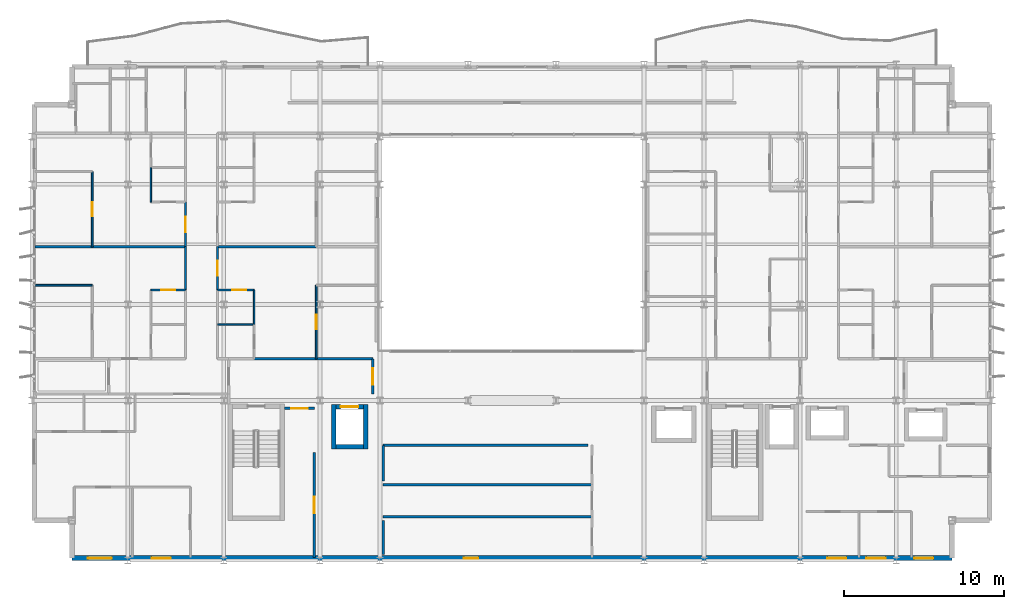
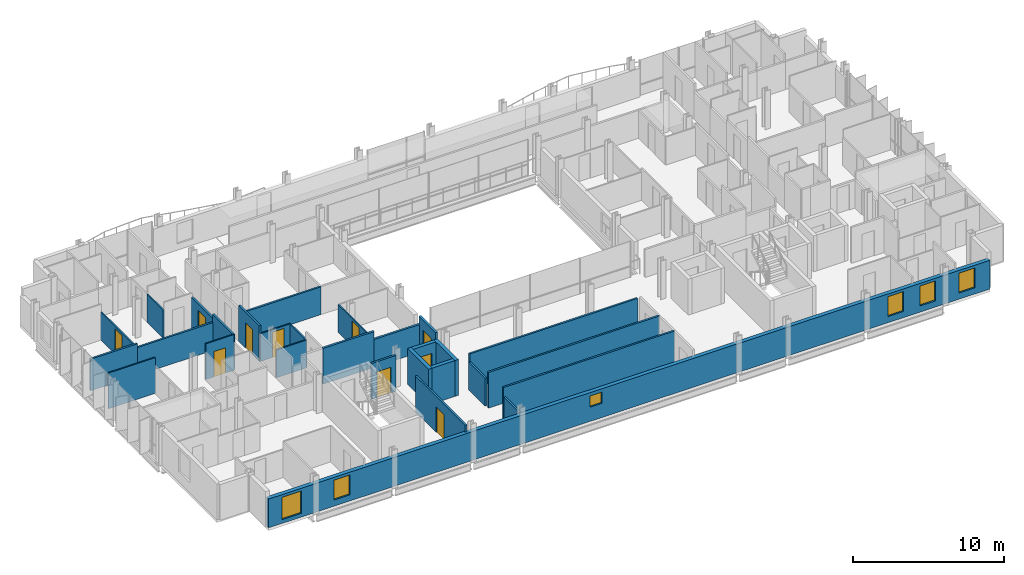
# One storey, part 28 of 39: 29 walls, 10 doors, 6 windows, 16 openings.
"""IFC4 building model written with IfcOpenShell, lengths in metres."""

from ifc_helpers import new_model, si_unit, direction, frame, frame_2d, origin, place, context, subcontext, project, spatial, rectangle, extrude, material, layer, layer_set, type_object, element, fill, save


model = new_model("IFC4")

# Units and contexts
model_context = context("Model", 3, precision=1e-05, world=origin(), true_north=direction((0.0, 1.0)))
body_context = subcontext(model_context, "Body", "Model", "MODEL_VIEW")
ifc_project = project(units=[si_unit("LENGTHUNIT", "METRE"), si_unit("AREAUNIT", "SQUARE_METRE"), si_unit("VOLUMEUNIT", "CUBIC_METRE"), si_unit("PLANEANGLEUNIT", "RADIAN"), si_unit("MASSUNIT", "GRAM", prefix="KILO")], contexts=[model_context])

# Site, building, storey
site_placement = place(None, origin())
site = spatial("IfcSite", under=ifc_project, at=site_placement, CompositionType="ELEMENT")
building_placement = place(site_placement, origin())
building = spatial("IfcBuilding", under=site, at=building_placement, Name="Brevholm Reach", CompositionType="ELEMENT")
storey_placement = place(building_placement, frame((0.0, 0.0, 115.89990234375)))
storey = spatial("IfcBuildingStorey", under=building, at=storey_placement, Name="L34", CompositionType="ELEMENT", Elevation=115.89990234375)

# Walls
ifc_material_1 = material(Name="Concrete C50/60", Category="concrete")
ifc_layer_1 = layer(ifc_material_1, 0.280029296875)
ifc_layer_set_1 = layer_set([ifc_layer_1], Name="Concrete C50/60")
wall_type_1 = type_object("IfcWallType", Name="WAL-COR-280", PredefinedType="SHEAR", material=ifc_layer_set_1)
for number, where, z_axis, x_axis, name in (
    (1, (18.85009765625, 6.9599609375, 0.0), (0.0, 0.0, 1.0), (0.0, 1.0, 0.0), "L34 Lift FFL-1 Shaft Wall W"),
    (2, (20.85009765625, 6.9599609375, 0.0), (0.0, 0.0, 1.0), (0.0, 1.0, 0.0), "L34 Lift FFL-1 Shaft Wall E"),
):
    element("IfcWall", number, at=place(storey_placement, frame(where, z_axis=z_axis, x_axis=x_axis)), inside=storey, type_object=wall_type_1, Name=name, PredefinedType="SHEAR", context=body_context, shape_type="SweptSolid", body=[
        extrude(rectangle(XDim=2.780029296875, YDim=0.280029296875, at=frame_2d((1.39013671875, 0.0))), origin(), (0.0, 0.0, 1.0), 2.880126953125),
    ])
wall_1_placement = place(storey_placement, frame((18.989990234375, 7.10009765625, 0.0), z_axis=(0.0, 0.0, 1.0), x_axis=(1.0, 0.0, 0.0)))
element("IfcWall", 3, at=wall_1_placement, inside=storey, type_object=wall_type_1, Name="L34 Lift FFL-1 Shaft Wall S", PredefinedType="SHEAR", context=body_context, shape_type="SweptSolid", body=[
    extrude(rectangle(XDim=1.719970703125, YDim=0.280029296875, at=frame_2d((0.85986328125, 0.0))), origin(), (0.0, 0.0, 1.0), 2.880126953125),
])

# Wall, opening, door
wall_2_placement = place(storey_placement, frame((18.989990234375, 9.60009765625, 0.0), z_axis=(0.0, 0.0, 1.0), x_axis=(1.0, 0.0, 0.0)))
wall_2 = element("IfcWall", 4, at=wall_2_placement, inside=storey, type_object=wall_type_1, Name="L34 Lift FFL-1 Shaft Wall N", PredefinedType="SHEAR", context=body_context, shape_type="SweptSolid", body=[
    extrude(rectangle(XDim=1.719970703125, YDim=0.280029296875, at=frame_2d((0.85986328125, 0.0))), origin(), (0.0, 0.0, 1.0), 2.880126953125),
])
opening_1_placement = place(wall_2_placement, frame((0.31005859375, 0.0, 0.0)))
opening_1 = element("IfcOpeningElement", 5, at=opening_1_placement, cuts=wall_2, Name="Opening LD-FFL-1", PredefinedType="OPENING", context=body_context, shape_type="SweptSolid", body=[
    extrude(rectangle(XDim=1.10009765625, YDim=2.06005859375, at=frame_2d((0.550048828125, 1.030029296875))), frame((0.0, 0.14990234375, 0.0), z_axis=(0.0, -1.0, 0.0), x_axis=(1.0, 0.0, 0.0)), (0.0, 0.0, 1.0), 0.300048828125),
])
ifc_material_2 = material(Name="Brushed Stainless Steel Fire-Rated Sliding Lift Door", Category="steel")
door_type_1 = type_object("IfcDoorType", Name="DOR-LFT-1100", OperationType="NOTDEFINED", PredefinedType="DOOR", material=ifc_material_2)
door_1_placement = place(opening_1_placement, origin())
door_1 = element("IfcDoor", 6, at=door_1_placement, inside=storey, type_object=door_type_1, Name="L34 Lift FFL-1 Sliding Landing Door", OperationType="SLIDING_TO_RIGHT", OverallHeight=2.06005859375, OverallWidth=1.10009765625, PredefinedType="DOOR", context=body_context, shape_type="SweptSolid", body=[
    extrude(rectangle(XDim=1.10009765625, YDim=2.06005859375, at=frame_2d((0.550048828125, 1.030029296875))), frame((0.0, 0.02490234375, 0.0), z_axis=(0.0, -1.0, 0.0), x_axis=(1.0, 0.0, 0.0)), (0.0, 0.0, 1.0), 0.050048828125),
])
fill(opening_1, door_1)

# Wall, openings, windows
ifc_material_3 = material(Name="Concrete C40/50", Category="concrete")
ifc_layer_2 = layer(ifc_material_3, 0.300048828125)
ifc_layer_set_2 = layer_set([ifc_layer_2], Name="Concrete C40/50")
wall_type_2 = type_object("IfcWallType", Name="WAL-EXT-300", PredefinedType="STANDARD", material=ifc_layer_set_2)
wall_3_placement = place(storey_placement, frame((2.5, 0.14990234375, 0.0), z_axis=(0.0, 0.0, 1.0), x_axis=(1.0, 0.0, 0.0)))
wall_3 = element("IfcWall", 7, at=wall_3_placement, inside=storey, type_object=wall_type_2, Name="L34 Facade Wall WAL-L34-S", PredefinedType="STANDARD", context=body_context, shape_type="SweptSolid", body=[
    extrude(rectangle(XDim=55.0, YDim=0.300048828125, at=frame_2d((27.5, 0.0))), origin(), (0.0, 0.0, 1.0), 2.322021484375),
])
opening_2_placement = place(wall_3_placement, frame((1.0, 0.0, 0.302001953125)))
opening_2 = element("IfcOpeningElement", 8, at=opening_2_placement, cuts=wall_3, Name="Opening WN-05", PredefinedType="OPENING", context=body_context, shape_type="SweptSolid", body=[
    extrude(rectangle(XDim=1.5, YDim=1.800048828125, at=frame_2d((0.75, 0.89990234375))), frame((0.0, 0.159912109375, 0.0), z_axis=(0.0, -1.0, 0.0), x_axis=(1.0, 0.0, 0.0)), (0.0, 0.0, 1.0), 0.320068359375),
])
opening_3_placement = place(wall_3_placement, frame((24.5, 0.0, 1.14990234375)))
opening_3 = element("IfcOpeningElement", 9, at=opening_3_placement, cuts=wall_3, Name="Opening WN-09", PredefinedType="OPENING", context=body_context, shape_type="SweptSolid", body=[
    extrude(rectangle(XDim=0.89990234375, YDim=0.89990234375, at=frame_2d((0.449951171875, 0.449951171875))), frame((0.0, 0.159912109375, 0.0), z_axis=(0.0, -1.0, 0.0), x_axis=(1.0, 0.0, 0.0)), (0.0, 0.0, 1.0), 0.320068359375),
])
opening_4_placement = place(wall_3_placement, frame((47.199951171875, 0.0, 0.501953125)))
opening_4 = element("IfcOpeningElement", 10, at=opening_4_placement, cuts=wall_3, Name="Opening WN-08", PredefinedType="OPENING", context=body_context, shape_type="SweptSolid", body=[
    extrude(rectangle(XDim=1.199951171875, YDim=1.60009765625, at=frame_2d((0.60009765625, 0.800048828125))), frame((0.0, 0.159912109375, 0.0), z_axis=(0.0, -1.0, 0.0), x_axis=(1.0, 0.0, 0.0)), (0.0, 0.0, 1.0), 0.320068359375),
])
opening_5_placement = place(wall_3_placement, frame((52.6298828125, 0.0, 0.501953125)))
opening_5 = element("IfcOpeningElement", 11, at=opening_5_placement, cuts=wall_3, Name="Opening WN-08", PredefinedType="OPENING", context=body_context, shape_type="SweptSolid", body=[
    extrude(rectangle(XDim=1.199951171875, YDim=1.60009765625, at=frame_2d((0.60009765625, 0.800048828125))), frame((0.0, 0.159912109375, 0.0), z_axis=(0.0, -1.0, 0.0), x_axis=(1.0, 0.0, 0.0)), (0.0, 0.0, 1.0), 0.320068359375),
])
opening_6_placement = place(wall_3_placement, frame((4.987548828125, 0.0, 0.501953125)))
opening_6 = element("IfcOpeningElement", 12, at=opening_6_placement, cuts=wall_3, Name="Opening WN-08", PredefinedType="OPENING", context=body_context, shape_type="SweptSolid", body=[
    extrude(rectangle(XDim=1.199951171875, YDim=1.60009765625, at=frame_2d((0.60009765625, 0.800048828125))), frame((0.0, 0.159912109375, 0.0), z_axis=(0.0, -1.0, 0.0), x_axis=(1.0, 0.0, 0.0)), (0.0, 0.0, 1.0), 0.320068359375),
])
opening_7_placement = place(wall_3_placement, frame((49.643310546875, 0.0, 0.501953125)))
opening_7 = element("IfcOpeningElement", 13, at=opening_7_placement, cuts=wall_3, Name="Opening WN-08", PredefinedType="OPENING", context=body_context, shape_type="SweptSolid", body=[
    extrude(rectangle(XDim=1.199951171875, YDim=1.60009765625, at=frame_2d((0.60009765625, 0.800048828125))), frame((0.0, 0.159912109375, 0.0), z_axis=(0.0, -1.0, 0.0), x_axis=(1.0, 0.0, 0.0)), (0.0, 0.0, 1.0), 0.320068359375),
])
ifc_material_4 = material(Name="Dark Anodised Aluminium and Solar-Control IGU Glass", Category="aluminium")
window_type_1 = type_object("IfcWindowType", Name="WIN-POR-0900", PartitioningType="SINGLE_PANEL", PredefinedType="WINDOW", material=ifc_material_4)
window_1_placement = place(opening_3_placement, origin())
window_1 = element("IfcWindow", 14, at=window_1_placement, inside=storey, type_object=window_type_1, Name="L34 Window WIN-L34-S-POR", OverallHeight=0.89990234375, OverallWidth=0.89990234375, PartitioningType="SINGLE_PANEL", PredefinedType="WINDOW", context=body_context, shape_type="SweptSolid", body=[
    extrude(rectangle(XDim=0.89990234375, YDim=0.89990234375, at=frame_2d((0.449951171875, 0.449951171875))), frame((0.0, 0.030029296875, 0.0), z_axis=(0.0, -1.0, 0.0), x_axis=(1.0, 0.0, 0.0)), (0.0, 0.0, 1.0), 0.06005859375),
])
fill(opening_3, window_1)
ifc_material_5 = material(Name="Dark Anodised Aluminium and Solar-Control IGU Glass", Category="aluminium")
window_type_2 = type_object("IfcWindowType", Name="WIN-RES-1200", PartitioningType="SINGLE_PANEL", PredefinedType="WINDOW", material=ifc_material_5)
window_2_placement = place(opening_4_placement, origin())
window_2 = element("IfcWindow", 15, at=window_2_placement, inside=storey, type_object=window_type_2, Name="L34 Window WIN-L34-S-E1", OverallHeight=1.60009765625, OverallWidth=1.199951171875, PartitioningType="SINGLE_PANEL", PredefinedType="WINDOW", context=body_context, shape_type="SweptSolid", body=[
    extrude(rectangle(XDim=1.199951171875, YDim=1.60009765625, at=frame_2d((0.60009765625, 0.800048828125))), frame((0.0, 0.030029296875, 0.0), z_axis=(0.0, -1.0, 0.0), x_axis=(1.0, 0.0, 0.0)), (0.0, 0.0, 1.0), 0.06005859375),
])
fill(opening_4, window_2)
window_3_placement = place(opening_5_placement, origin())
window_3 = element("IfcWindow", 16, at=window_3_placement, inside=storey, type_object=window_type_2, Name="L34 Window WIN-L34-S-E2", OverallHeight=1.60009765625, OverallWidth=1.199951171875, PartitioningType="SINGLE_PANEL", PredefinedType="WINDOW", context=body_context, shape_type="SweptSolid", body=[
    extrude(rectangle(XDim=1.199951171875, YDim=1.60009765625, at=frame_2d((0.60009765625, 0.800048828125))), frame((0.0, 0.030029296875, 0.0), z_axis=(0.0, -1.0, 0.0), x_axis=(1.0, 0.0, 0.0)), (0.0, 0.0, 1.0), 0.06005859375),
])
fill(opening_5, window_3)
window_4_placement = place(opening_6_placement, origin())
window_4 = element("IfcWindow", 17, at=window_4_placement, inside=storey, type_object=window_type_2, Name="L34 Bedroom Window 038", OverallHeight=1.60009765625, OverallWidth=1.199951171875, PartitioningType="SINGLE_PANEL", PredefinedType="WINDOW", context=body_context, shape_type="SweptSolid", body=[
    extrude(rectangle(XDim=1.199951171875, YDim=1.60009765625, at=frame_2d((0.60009765625, 0.800048828125))), frame((0.0, 0.030029296875, 0.0), z_axis=(0.0, -1.0, 0.0), x_axis=(1.0, 0.0, 0.0)), (0.0, 0.0, 1.0), 0.06005859375),
])
fill(opening_6, window_4)
window_5_placement = place(opening_7_placement, origin())
window_5 = element("IfcWindow", 18, at=window_5_placement, inside=storey, type_object=window_type_2, Name="L34 Bedroom Window 039", OverallHeight=1.60009765625, OverallWidth=1.199951171875, PartitioningType="SINGLE_PANEL", PredefinedType="WINDOW", context=body_context, shape_type="SweptSolid", body=[
    extrude(rectangle(XDim=1.199951171875, YDim=1.60009765625, at=frame_2d((0.60009765625, 0.800048828125))), frame((0.0, 0.030029296875, 0.0), z_axis=(0.0, -1.0, 0.0), x_axis=(1.0, 0.0, 0.0)), (0.0, 0.0, 1.0), 0.06005859375),
])
fill(opening_7, window_5)
ifc_material_6 = material(Name="Dark Anodised Aluminium and Solar-Control IGU Glass", Category="aluminium")
window_type_3 = type_object("IfcWindowType", Name="WIN-RES-1500", PartitioningType="SINGLE_PANEL", PredefinedType="WINDOW", material=ifc_material_6)
window_6_placement = place(opening_2_placement, origin())
window_6 = element("IfcWindow", 19, at=window_6_placement, inside=storey, type_object=window_type_3, Name="L34 Window WIN-L34-S-W1", OverallHeight=1.800048828125, OverallWidth=1.5, PartitioningType="SINGLE_PANEL", PredefinedType="WINDOW", context=body_context, shape_type="SweptSolid", body=[
    extrude(rectangle(XDim=1.5, YDim=1.800048828125, at=frame_2d((0.75, 0.89990234375))), frame((0.0, 0.030029296875, 0.0), z_axis=(0.0, -1.0, 0.0), x_axis=(1.0, 0.0, 0.0)), (0.0, 0.0, 1.0), 0.06005859375),
])
fill(opening_2, window_6)

# Wall, opening, door
ifc_material_7 = material(Name="Moisture-Resistant Acoustic Gypsum Stud Partition 100 mm", Category="gypsum")
ifc_layer_3 = layer(ifc_material_7, 0.10009765625)
ifc_layer_set_3 = layer_set([ifc_layer_3], Name="Moisture-Resistant Acoustic Gypsum Stud Partition 100 mm")
wall_type_3 = type_object("IfcWallType", Name="WAL-PRT-100", PredefinedType="PARTITIONING", material=ifc_layer_set_3)
wall_4_placement = place(storey_placement, frame((7.43798828125, 16.89990234375, 0.0), z_axis=(0.0, 0.0, 1.0), x_axis=(1.0, 0.0, 0.0)))
wall_4 = element("IfcWall", 20, at=wall_4_placement, inside=storey, type_object=wall_type_3, Name="L34 Internal Partition 089", PredefinedType="PARTITIONING", context=body_context, shape_type="SweptSolid", body=[
    extrude(rectangle(XDim=2.157958984375, YDim=0.10009765625, at=frame_2d((1.0791015625, 0.0))), origin(), (0.0, 0.0, 1.0), 2.880126953125),
])
opening_8_placement = place(wall_4_placement, frame((0.638916015625, 0.0, 0.0)))
opening_8 = element("IfcOpeningElement", 21, at=opening_8_placement, cuts=wall_4, Name="Opening ID-01", PredefinedType="OPENING", context=body_context, shape_type="SweptSolid", body=[
    extrude(rectangle(XDim=0.8798828125, YDim=2.0400390625, at=frame_2d((0.43994140625, 1.02001953125))), frame((0.0, 0.06005859375, 0.0), z_axis=(0.0, -1.0, 0.0), x_axis=(1.0, 0.0, 0.0)), (0.0, 0.0, 1.0), 0.1201171875),
])
ifc_material_8 = material(Name="Lacquered Ash Solid-Core Acoustic Internal Door", Category="timber")
door_type_2 = type_object("IfcDoorType", Name="DOR-INT-880", OperationType="NOTDEFINED", PredefinedType="DOOR", material=ifc_material_8)
door_2_placement = place(opening_8_placement, origin())
door_2 = element("IfcDoor", 22, at=door_2_placement, inside=storey, type_object=door_type_2, Name="L34 Internal Door 033", OperationType="SINGLE_SWING_LEFT", OverallHeight=2.0400390625, OverallWidth=0.8798828125, PredefinedType="DOOR", context=body_context, shape_type="SweptSolid", body=[
    extrude(rectangle(XDim=0.8798828125, YDim=2.0400390625, at=frame_2d((0.43994140625, 1.02001953125))), frame((0.0, 0.02490234375, 0.0), z_axis=(0.0, -1.0, 0.0), x_axis=(1.0, 0.0, 0.0)), (0.0, 0.0, 1.0), 0.050048828125),
])
fill(opening_8, door_2)

# Walls
wall_5_placement = place(storey_placement, frame((0.199951171875, 17.199951171875, 0.0), z_axis=(0.0, 0.0, 1.0), x_axis=(1.0, 0.0, 0.0)))
element("IfcWall", 23, at=wall_5_placement, inside=storey, type_object=wall_type_3, Name="L34 Internal Partition 092", PredefinedType="PARTITIONING", context=body_context, shape_type="SweptSolid", body=[
    extrude(rectangle(XDim=3.572021484375, YDim=0.10009765625, at=frame_2d((1.7861328125, 0.0))), origin(), (0.0, 0.0, 1.0), 2.880126953125),
])
wall_6_placement = place(storey_placement, frame((7.43798828125, 22.39990234375, 0.0), z_axis=(0.0, 0.0, 1.0), x_axis=(0.0, 1.0, 0.0)))
element("IfcWall", 24, at=wall_6_placement, inside=storey, type_object=wall_type_3, Name="L34 Internal Partition 099", PredefinedType="PARTITIONING", context=body_context, shape_type="SweptSolid", body=[
    extrude(rectangle(XDim=2.14599609375, YDim=0.10009765625, at=frame_2d((1.072998046875, 0.0))), origin(), (0.0, 0.0, 1.0), 2.242919921875),
])

# Wall, opening, door
wall_7_placement = place(storey_placement, frame((3.77197265625, 19.60400390625, 0.0), z_axis=(0.0, 0.0, 1.0), x_axis=(0.0, 1.0, 0.0)))
wall_7 = element("IfcWall", 25, at=wall_7_placement, inside=storey, type_object=wall_type_3, Name="L34 Internal Partition 100", PredefinedType="PARTITIONING", context=body_context, shape_type="SweptSolid", body=[
    extrude(rectangle(XDim=4.696044921875, YDim=0.10009765625, at=frame_2d((2.34814453125, 0.0))), origin(), (0.0, 0.0, 1.0), 2.242919921875),
])
opening_9_placement = place(wall_7_placement, frame((1.907958984375, 0.0, 0.0)))
opening_9 = element("IfcOpeningElement", 26, at=opening_9_placement, cuts=wall_7, Name="Opening ID-01", PredefinedType="OPENING", context=body_context, shape_type="SweptSolid", body=[
    extrude(rectangle(XDim=0.8798828125, YDim=2.0400390625, at=frame_2d((0.43994140625, 1.02001953125))), frame((0.0, 0.06005859375, 0.0), z_axis=(0.0, -1.0, 0.0), x_axis=(1.0, 0.0, 0.0)), (0.0, 0.0, 1.0), 0.1201171875),
])
door_3_placement = place(opening_9_placement, origin())
door_3 = element("IfcDoor", 27, at=door_3_placement, inside=storey, type_object=door_type_2, Name="L34 Internal Door 037", OperationType="SINGLE_SWING_LEFT", OverallHeight=2.0400390625, OverallWidth=0.8798828125, PredefinedType="DOOR", context=body_context, shape_type="SweptSolid", body=[
    extrude(rectangle(XDim=0.8798828125, YDim=2.0400390625, at=frame_2d((0.43994140625, 1.02001953125))), frame((0.0, 0.02490234375, 0.0), z_axis=(0.0, -1.0, 0.0), x_axis=(1.0, 0.0, 0.0)), (0.0, 0.0, 1.0), 0.050048828125),
])
fill(opening_9, door_3)

# Walls
wall_8_placement = place(storey_placement, frame((11.60400390625, 14.75, 0.0), z_axis=(0.0, 0.0, 1.0), x_axis=(1.0, 0.0, 0.0)))
element("IfcWall", 28, at=wall_8_placement, inside=storey, type_object=wall_type_3, Name="L34 Internal Partition 106", PredefinedType="PARTITIONING", context=body_context, shape_type="SweptSolid", body=[
    extrude(rectangle(XDim=2.284912109375, YDim=0.10009765625, at=frame_2d((1.142578125, 0.0))), origin(), (0.0, 0.0, 1.0), 2.242919921875),
])
wall_9_placement = place(storey_placement, frame((13.888916015625, 14.75390625, 0.0), z_axis=(0.0, 0.0, 1.0), x_axis=(0.0, 1.0, 0.0)))
element("IfcWall", 29, at=wall_9_placement, inside=storey, type_object=wall_type_3, Name="L34 Internal Partition 108", PredefinedType="PARTITIONING", context=body_context, shape_type="SweptSolid", body=[
    extrude(rectangle(XDim=2.14599609375, YDim=0.10009765625, at=frame_2d((1.072998046875, 0.0))), origin(), (0.0, 0.0, 1.0), 2.242919921875),
])

# Wall, opening, door
wall_10_placement = place(storey_placement, frame((11.60400390625, 16.89990234375, 0.0), z_axis=(0.0, 0.0, 1.0), x_axis=(1.0, 0.0, 0.0)))
wall_10 = element("IfcWall", 30, at=wall_10_placement, inside=storey, type_object=wall_type_3, Name="L34 Internal Partition 109", PredefinedType="PARTITIONING", context=body_context, shape_type="SweptSolid", body=[
    extrude(rectangle(XDim=2.284912109375, YDim=0.10009765625, at=frame_2d((1.142578125, 0.0))), origin(), (0.0, 0.0, 1.0), 2.242919921875),
])
opening_10_placement = place(wall_10_placement, frame((0.922607421875, 0.0, 0.0)))
opening_10 = element("IfcOpeningElement", 31, at=opening_10_placement, cuts=wall_10, Name="Opening ID-01", PredefinedType="OPENING", context=body_context, shape_type="SweptSolid", body=[
    extrude(rectangle(XDim=0.8798828125, YDim=2.0400390625, at=frame_2d((0.43994140625, 1.02001953125))), frame((0.0, 0.06005859375, 0.0), z_axis=(0.0, -1.0, 0.0), x_axis=(1.0, 0.0, 0.0)), (0.0, 0.0, 1.0), 0.1201171875),
])
door_4_placement = place(opening_10_placement, origin())
door_4 = element("IfcDoor", 32, at=door_4_placement, inside=storey, type_object=door_type_2, Name="L34 Internal Door 039", OperationType="SINGLE_SWING_LEFT", OverallHeight=2.0400390625, OverallWidth=0.8798828125, PredefinedType="DOOR", context=body_context, shape_type="SweptSolid", body=[
    extrude(rectangle(XDim=0.8798828125, YDim=2.0400390625, at=frame_2d((0.43994140625, 1.02001953125))), frame((0.0, 0.02490234375, 0.0), z_axis=(0.0, -1.0, 0.0), x_axis=(1.0, 0.0, 0.0)), (0.0, 0.0, 1.0), 0.050048828125),
])
fill(opening_10, door_4)

wall_11_placement = place(storey_placement, frame((17.76904296875, 12.60400390625, 0.0), z_axis=(0.0, 0.0, 1.0), x_axis=(0.0, 1.0, 0.0)))
wall_11 = element("IfcWall", 33, at=wall_11_placement, inside=storey, type_object=wall_type_3, Name="L34 Internal Partition 111", PredefinedType="PARTITIONING", context=body_context, shape_type="SweptSolid", body=[
    extrude(rectangle(XDim=4.595947265625, YDim=0.10009765625, at=frame_2d((2.2978515625, 0.0))), origin(), (0.0, 0.0, 1.0), 2.242919921875),
])
opening_11_placement = place(wall_11_placement, frame((1.85791015625, 0.0, 0.0)))
opening_11 = element("IfcOpeningElement", 34, at=opening_11_placement, cuts=wall_11, Name="Opening ID-01", PredefinedType="OPENING", context=body_context, shape_type="SweptSolid", body=[
    extrude(rectangle(XDim=0.8798828125, YDim=2.0400390625, at=frame_2d((0.43994140625, 1.02001953125))), frame((0.0, 0.06005859375, 0.0), z_axis=(0.0, -1.0, 0.0), x_axis=(1.0, 0.0, 0.0)), (0.0, 0.0, 1.0), 0.1201171875),
])
door_5_placement = place(opening_11_placement, origin())
door_5 = element("IfcDoor", 35, at=door_5_placement, inside=storey, type_object=door_type_2, Name="L34 Internal Door 040", OperationType="SINGLE_SWING_RIGHT", OverallHeight=2.0400390625, OverallWidth=0.8798828125, PredefinedType="DOOR", context=body_context, shape_type="SweptSolid", body=[
    extrude(rectangle(XDim=0.8798828125, YDim=2.0400390625, at=frame_2d((0.43994140625, 1.02001953125))), frame((0.0, 0.02490234375, 0.0), z_axis=(0.0, -1.0, 0.0), x_axis=(1.0, 0.0, 0.0)), (0.0, 0.0, 1.0), 0.050048828125),
])
fill(opening_11, door_5)

# Walls
ifc_material_9 = material(Name="Twin-Stud Acoustic Fire-Rated Gypsum Partition 140 mm", Category="gypsum")
ifc_layer_4 = layer(ifc_material_9, 0.139892578125)
ifc_layer_set_4 = layer_set([ifc_layer_4], Name="Twin-Stud Acoustic Fire-Rated Gypsum Partition 140 mm")
wall_type_4 = type_object("IfcWallType", Name="WAL-PRT-140", PredefinedType="PARTITIONING", material=ifc_layer_set_4)
for number, where, z_axis, x_axis, name in (
    (36, (21.949951171875, 2.737060546875, 0.0), (0.0, 0.0, 1.0), (1.0, 0.0, 0.0), "L34 Internal Partition 004"),
    (37, (21.949951171875, 4.740966796875, 0.0), (0.0, 0.0, 1.0), (1.0, 0.0, 0.0), "L34 Internal Partition 005"),
):
    element("IfcWall", number, at=place(storey_placement, frame(where, z_axis=z_axis, x_axis=x_axis)), inside=storey, type_object=wall_type_4, Name=name, PredefinedType="PARTITIONING", context=body_context, shape_type="SweptSolid", body=[
        extrude(rectangle(XDim=13.046142578125, YDim=0.139892578125, at=frame_2d((6.52294921875, 0.0))), origin(), (0.0, 0.0, 1.0), 2.880126953125),
    ])

# Wall, opening, door
wall_12_placement = place(storey_placement, frame((17.64990234375, 0.179931640625, 0.0), z_axis=(0.0, 0.0, 1.0), x_axis=(0.0, 1.0, 0.0)))
wall_12 = element("IfcWall", 38, at=wall_12_placement, inside=storey, type_object=wall_type_4, Name="L34 Internal Partition 006", PredefinedType="PARTITIONING", context=body_context, shape_type="SweptSolid", body=[
    extrude(rectangle(XDim=6.581298828125, YDim=0.139892578125, at=frame_2d((3.29052734375, 0.0))), origin(), (0.0, 0.0, 1.0), 2.880126953125),
])
opening_12_placement = place(wall_12_placement, frame((2.765625, 0.0, 0.0)))
opening_12 = element("IfcOpeningElement", 39, at=opening_12_placement, cuts=wall_12, Name="Opening FD-01", PredefinedType="OPENING", context=body_context, shape_type="SweptSolid", body=[
    extrude(rectangle(XDim=1.050048828125, YDim=2.06005859375, at=frame_2d((0.52490234375, 1.030029296875))), frame((0.0, 0.079833984375, 0.0), z_axis=(0.0, -1.0, 0.0), x_axis=(1.0, 0.0, 0.0)), (0.0, 0.0, 1.0), 0.159912109375),
])
ifc_material_10 = material(Name="Hardwood-Lipped Steel-Core Fire and Smoke Door", Category="steel")
door_type_3 = type_object("IfcDoorType", Name="DOR-INT-FD60S", OperationType="NOTDEFINED", PredefinedType="DOOR", material=ifc_material_10)
door_6_placement = place(opening_12_placement, origin())
door_6 = element("IfcDoor", 40, at=door_6_placement, inside=storey, type_object=door_type_3, Name="L34 Internal Door 004", OperationType="SINGLE_SWING_RIGHT", OverallHeight=2.06005859375, OverallWidth=1.050048828125, PredefinedType="DOOR", context=body_context, shape_type="SweptSolid", body=[
    extrude(rectangle(XDim=1.050048828125, YDim=2.06005859375, at=frame_2d((0.52490234375, 1.030029296875))), frame((0.0, 0.02490234375, 0.0), z_axis=(0.0, -1.0, 0.0), x_axis=(1.0, 0.0, 0.0)), (0.0, 0.0, 1.0), 0.050048828125),
])
fill(opening_12, door_6)

# Wall
wall_13_placement = place(storey_placement, frame((9.60009765625, 16.892578125, 0.0), z_axis=(0.0, 0.0, 1.0), x_axis=(0.0, 1.0, 0.0)))
element("IfcWall", 41, at=wall_13_placement, inside=storey, type_object=wall_type_4, Name="L34 Internal Partition 035", PredefinedType="PARTITIONING", context=body_context, shape_type="SweptSolid", body=[
    extrude(rectangle(XDim=2.71875, YDim=0.139892578125, at=frame_2d((1.359375, 0.0))), origin(), (0.0, 0.0, 1.0), 2.880126953125),
])

# Wall, opening, door
wall_14_placement = place(storey_placement, frame((9.60009765625, 19.5927734375, 0.0), z_axis=(0.0, 0.0, 1.0), x_axis=(0.0, 1.0, 0.0)))
wall_14 = element("IfcWall", 42, at=wall_14_placement, inside=storey, type_object=wall_type_4, Name="L34 Internal Partition 038", PredefinedType="PARTITIONING", context=body_context, shape_type="SweptSolid", body=[
    extrude(rectangle(XDim=2.814453125, YDim=0.139892578125, at=frame_2d((1.4072265625, 0.0))), origin(), (0.0, 0.0, 1.0), 2.5517578125),
])
opening_13_placement = place(wall_14_placement, frame((0.932373046875, 0.0, 0.0)))
opening_13 = element("IfcOpeningElement", 43, at=opening_13_placement, cuts=wall_14, Name="Opening ID-30", PredefinedType="OPENING", context=body_context, shape_type="SweptSolid", body=[
    extrude(rectangle(XDim=0.949951171875, YDim=2.050048828125, at=frame_2d((0.47509765625, 1.02490234375))), frame((0.0, 0.079833984375, 0.0), z_axis=(0.0, -1.0, 0.0), x_axis=(1.0, 0.0, 0.0)), (0.0, 0.0, 1.0), 0.159912109375),
])
ifc_material_11 = material(Name="European Oak Veneered Solid-Core Fire Entrance Door", Category="timber")
door_type_4 = type_object("IfcDoorType", Name="DOR-FLT-FD30S", OperationType="NOTDEFINED", PredefinedType="DOOR", material=ifc_material_11)
door_7_placement = place(opening_13_placement, origin())
door_7 = element("IfcDoor", 44, at=door_7_placement, inside=storey, type_object=door_type_4, Name="L34 Internal Door 016", OperationType="SINGLE_SWING_RIGHT", OverallHeight=2.050048828125, OverallWidth=0.949951171875, PredefinedType="DOOR", context=body_context, shape_type="SweptSolid", body=[
    extrude(rectangle(XDim=0.949951171875, YDim=2.050048828125, at=frame_2d((0.47509765625, 1.02490234375))), frame((0.0, 0.02490234375, 0.0), z_axis=(0.0, -1.0, 0.0), x_axis=(1.0, 0.0, 0.0)), (0.0, 0.0, 1.0), 0.050048828125),
])
fill(opening_13, door_7)

wall_15_placement = place(storey_placement, frame((11.60009765625, 16.892578125, 0.0), z_axis=(0.0, 0.0, 1.0), x_axis=(0.0, 1.0, 0.0)))
wall_15 = element("IfcWall", 45, at=wall_15_placement, inside=storey, type_object=wall_type_4, Name="L34 Internal Partition 041", PredefinedType="PARTITIONING", context=body_context, shape_type="SweptSolid", body=[
    extrude(rectangle(XDim=2.71875, YDim=0.139892578125, at=frame_2d((1.359375, 0.0))), origin(), (0.0, 0.0, 1.0), 2.880126953125),
])
opening_14_placement = place(wall_15_placement, frame((0.88427734375, 0.0, 0.0)))
opening_14 = element("IfcOpeningElement", 46, at=opening_14_placement, cuts=wall_15, Name="Opening ID-30", PredefinedType="OPENING", context=body_context, shape_type="SweptSolid", body=[
    extrude(rectangle(XDim=0.949951171875, YDim=2.050048828125, at=frame_2d((0.47509765625, 1.02490234375))), frame((0.0, 0.079833984375, 0.0), z_axis=(0.0, -1.0, 0.0), x_axis=(1.0, 0.0, 0.0)), (0.0, 0.0, 1.0), 0.159912109375),
])
door_8_placement = place(opening_14_placement, origin())
door_8 = element("IfcDoor", 47, at=door_8_placement, inside=storey, type_object=door_type_4, Name="L34 Internal Door 017", OperationType="SINGLE_SWING_LEFT", OverallHeight=2.050048828125, OverallWidth=0.949951171875, PredefinedType="DOOR", context=body_context, shape_type="SweptSolid", body=[
    extrude(rectangle(XDim=0.949951171875, YDim=2.050048828125, at=frame_2d((0.47509765625, 1.02490234375))), frame((0.0, 0.02490234375, 0.0), z_axis=(0.0, -1.0, 0.0), x_axis=(1.0, 0.0, 0.0)), (0.0, 0.0, 1.0), 0.050048828125),
])
fill(opening_14, door_8)

# Walls
wall_16_placement = place(storey_placement, frame((0.199951171875, 19.60009765625, 0.0), z_axis=(0.0, 0.0, 1.0), x_axis=(1.0, 0.0, 0.0)))
element("IfcWall", 48, at=wall_16_placement, inside=storey, type_object=wall_type_4, Name="L34 Internal Partition 093", PredefinedType="PARTITIONING", context=body_context, shape_type="SweptSolid", body=[
    extrude(rectangle(XDim=3.583251953125, YDim=0.139892578125, at=frame_2d((1.79150390625, 0.0))), origin(), (0.0, 0.0, 1.0), 2.5517578125),
])
wall_17_placement = place(storey_placement, frame((3.7646484375, 19.60009765625, 0.0), z_axis=(0.0, 0.0, 1.0), x_axis=(1.0, 0.0, 0.0)))
element("IfcWall", 49, at=wall_17_placement, inside=storey, type_object=wall_type_4, Name="L34 Internal Partition 094", PredefinedType="PARTITIONING", context=body_context, shape_type="SweptSolid", body=[
    extrude(rectangle(XDim=5.831298828125, YDim=0.139892578125, at=frame_2d((2.91552734375, 0.0))), origin(), (0.0, 0.0, 1.0), 2.242919921875),
])
wall_18_placement = place(storey_placement, frame((11.60400390625, 19.60009765625, 0.0), z_axis=(0.0, 0.0, 1.0), x_axis=(1.0, 0.0, 0.0)))
element("IfcWall", 50, at=wall_18_placement, inside=storey, type_object=wall_type_4, Name="L34 Internal Partition 113", PredefinedType="PARTITIONING", context=body_context, shape_type="SweptSolid", body=[
    extrude(rectangle(XDim=6.17236328125, YDim=0.139892578125, at=frame_2d((3.086181640625, 0.0))), origin(), (0.0, 0.0, 1.0), 2.242919921875),
])
wall_19_placement = place(storey_placement, frame((21.949951171875, 0.389892578125, 0.0), z_axis=(0.0, 0.0, 1.0), x_axis=(0.0, 1.0, 0.0)))
element("IfcWall", 51, at=wall_19_placement, inside=storey, type_object=wall_type_4, Name="L34 Internal Partition 163", PredefinedType="PARTITIONING", context=body_context, shape_type="SweptSolid", body=[
    extrude(rectangle(XDim=2.107177734375, YDim=0.139892578125, at=frame_2d((1.0537109375, 0.0))), origin(), (0.0, 0.0, 1.0), 2.242919921875),
])
wall_20_placement = place(storey_placement, frame((21.949951171875, 7.199951171875, 0.0), z_axis=(0.0, 0.0, 1.0), x_axis=(1.0, 0.0, 0.0)))
element("IfcWall", 52, at=wall_20_placement, inside=storey, type_object=wall_type_4, Name="L34 Internal Partition 164", PredefinedType="PARTITIONING", context=body_context, shape_type="SweptSolid", body=[
    extrude(rectangle(XDim=12.81005859375, YDim=0.139892578125, at=frame_2d((6.405029296875, 0.0))), origin(), (0.0, 0.0, 1.0), 2.880126953125),
])
wall_21_placement = place(storey_placement, frame((21.949951171875, 4.98095703125, 0.0), z_axis=(0.0, 0.0, 1.0), x_axis=(0.0, 1.0, 0.0)))
element("IfcWall", 53, at=wall_21_placement, inside=storey, type_object=wall_type_4, Name="L34 Internal Partition 165", PredefinedType="PARTITIONING", context=body_context, shape_type="SweptSolid", body=[
    extrude(rectangle(XDim=2.218994140625, YDim=0.139892578125, at=frame_2d((1.109375, 0.0))), origin(), (0.0, 0.0, 1.0), 2.242919921875),
])

# Wall, opening, door
ifc_material_12 = material(Name="Twin-Frame Fire-Rated Gypsum Board and Mineral Wool 160 mm", Category="gypsum")
ifc_layer_5 = layer(ifc_material_12, 0.159912109375)
ifc_layer_set_5 = layer_set([ifc_layer_5], Name="Twin-Frame Fire-Rated Gypsum Board and Mineral Wool 160 mm")
wall_type_5 = type_object("IfcWallType", Name="WAL-PRT-160", PredefinedType="PARTITIONING", material=ifc_layer_set_5)
wall_22_placement = place(storey_placement, frame((15.800048828125, 9.5, 0.0), z_axis=(0.0, 0.0, 1.0), x_axis=(1.0, 0.0, 0.0)))
wall_22 = element("IfcWall", 54, at=wall_22_placement, inside=storey, type_object=wall_type_5, Name="L34 Internal Partition 007", PredefinedType="PARTITIONING", context=body_context, shape_type="SweptSolid", body=[
    extrude(rectangle(XDim=1.849853515625, YDim=0.159912109375, at=frame_2d((0.9248046875, 0.0))), origin(), (0.0, 0.0, 1.0), 2.880126953125),
])
opening_15_placement = place(wall_22_placement, frame((0.39990234375, 0.0, 0.0)))
opening_15 = element("IfcOpeningElement", 55, at=opening_15_placement, cuts=wall_22, Name="Opening FD-01", PredefinedType="OPENING", context=body_context, shape_type="SweptSolid", body=[
    extrude(rectangle(XDim=1.050048828125, YDim=2.06005859375, at=frame_2d((0.52490234375, 1.030029296875))), frame((0.0, 0.08984375, 0.0), z_axis=(0.0, -1.0, 0.0), x_axis=(1.0, 0.0, 0.0)), (0.0, 0.0, 1.0), 0.179931640625),
])
door_9_placement = place(opening_15_placement, origin())
door_9 = element("IfcDoor", 56, at=door_9_placement, inside=storey, type_object=door_type_3, Name="L34 Internal Door 005", OperationType="SINGLE_SWING_LEFT", OverallHeight=2.06005859375, OverallWidth=1.050048828125, PredefinedType="DOOR", context=body_context, shape_type="SweptSolid", body=[
    extrude(rectangle(XDim=1.050048828125, YDim=2.06005859375, at=frame_2d((0.52490234375, 1.030029296875))), frame((0.0, 0.02490234375, 0.0), z_axis=(0.0, -1.0, 0.0), x_axis=(1.0, 0.0, 0.0)), (0.0, 0.0, 1.0), 0.050048828125),
])
fill(opening_15, door_9)

wall_23_placement = place(storey_placement, frame((21.300048828125, 10.388671875, 0.0), z_axis=(0.0, 0.0, 1.0), x_axis=(0.0, 1.0, 0.0)))
wall_23 = element("IfcWall", 57, at=wall_23_placement, inside=storey, type_object=wall_type_5, Name="L34 Internal Partition 014", PredefinedType="PARTITIONING", context=body_context, shape_type="SweptSolid", body=[
    extrude(rectangle(XDim=2.21142578125, YDim=0.159912109375, at=frame_2d((1.105712890625, 0.0))), origin(), (0.0, 0.0, 1.0), 2.880126953125),
])
opening_16_placement = place(wall_23_placement, frame((0.58056640625, 0.0, 0.0)))
opening_16 = element("IfcOpeningElement", 58, at=opening_16_placement, cuts=wall_23, Name="Opening FD-01", PredefinedType="OPENING", context=body_context, shape_type="SweptSolid", body=[
    extrude(rectangle(XDim=1.050048828125, YDim=2.06005859375, at=frame_2d((0.52490234375, 1.030029296875))), frame((0.0, 0.08984375, 0.0), z_axis=(0.0, -1.0, 0.0), x_axis=(1.0, 0.0, 0.0)), (0.0, 0.0, 1.0), 0.179931640625),
])
door_10_placement = place(opening_16_placement, origin())
door_10 = element("IfcDoor", 59, at=door_10_placement, inside=storey, type_object=door_type_3, Name="L34 Internal Door 010", OperationType="SINGLE_SWING_RIGHT", OverallHeight=2.06005859375, OverallWidth=1.050048828125, PredefinedType="DOOR", context=body_context, shape_type="SweptSolid", body=[
    extrude(rectangle(XDim=1.050048828125, YDim=2.06005859375, at=frame_2d((0.52490234375, 1.030029296875))), frame((0.0, 0.02490234375, 0.0), z_axis=(0.0, -1.0, 0.0), x_axis=(1.0, 0.0, 0.0)), (0.0, 0.0, 1.0), 0.050048828125),
])
fill(opening_16, door_10)

# Walls
wall_24_placement = place(storey_placement, frame((17.7578125, 12.60009765625, 0.0), z_axis=(0.0, 0.0, 1.0), x_axis=(1.0, 0.0, 0.0)))
element("IfcWall", 60, at=wall_24_placement, inside=storey, type_object=wall_type_5, Name="L34 Internal Partition 017", PredefinedType="PARTITIONING", context=body_context, shape_type="SweptSolid", body=[
    extrude(rectangle(XDim=3.542236328125, YDim=0.159912109375, at=frame_2d((1.77099609375, 0.0))), origin(), (0.0, 0.0, 1.0), 2.242919921875),
])
wall_25_placement = place(storey_placement, frame((13.881591796875, 12.60009765625, 0.0), z_axis=(0.0, 0.0, 1.0), x_axis=(1.0, 0.0, 0.0)))
element("IfcWall", 61, at=wall_25_placement, inside=storey, type_object=wall_type_5, Name="L34 Internal Partition 018", PredefinedType="PARTITIONING", context=body_context, shape_type="SweptSolid", body=[
    extrude(rectangle(XDim=3.894775390625, YDim=0.159912109375, at=frame_2d((1.947265625, 0.0))), origin(), (0.0, 0.0, 1.0), 2.880126953125),
])

save(model, "model.ifc")
